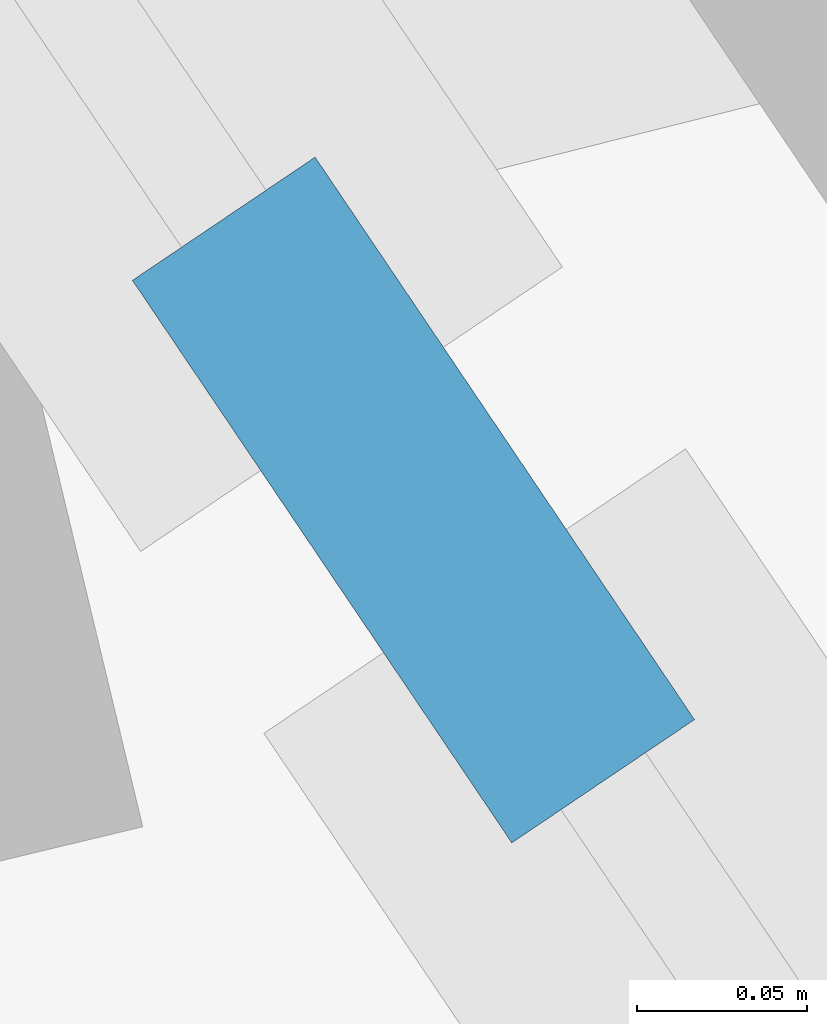
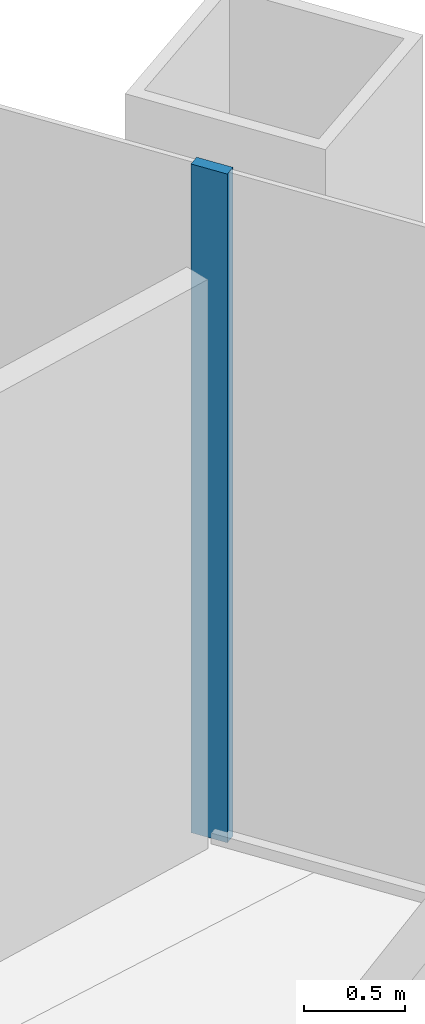
# One storey, part 5 of 13: 1 member, 1 element without a shape of its own.
"""IFC4 building model written with IfcOpenShell, lengths in metres."""

from ifc_helpers import new_model, si_unit, direction, frame, origin, origin_2d, place, context, subcontext, project, spatial, rectangle, extrude, material, material_profile, profile_set, type_object, element, aggregate, save


model = new_model("IFC4")

# Units and contexts
model_context = context("Model", 3, precision=1e-05, world=origin(), true_north=direction((0.0, 1.0)))
body_context = subcontext(model_context, "Body", "Model", "MODEL_VIEW")
ifc_project = project(units=[si_unit("LENGTHUNIT", "METRE"), si_unit("AREAUNIT", "SQUARE_METRE"), si_unit("VOLUMEUNIT", "CUBIC_METRE"), si_unit("PLANEANGLEUNIT", "RADIAN"), si_unit("MASSUNIT", "GRAM", prefix="KILO")], contexts=[model_context])

# Site, building, storey
site_placement = place(None, origin())
site = spatial("IfcSite", under=ifc_project, at=site_placement, CompositionType="ELEMENT")
building_placement = place(site_placement, origin())
building = spatial("IfcBuilding", under=site, at=building_placement, Name="Qingtian Harvest Tower", CompositionType="ELEMENT")
storey_placement = place(building_placement, frame((0.0, 0.0, 205.60009765625)))
storey = spatial("IfcBuildingStorey", under=building, at=storey_placement, Name="L44", CompositionType="ELEMENT", Elevation=205.60009765625)

# Curtain wall, member
ifc_material_1 = material(Name="Bronze-anodised aluminium curtain wall", Category="aluminium")
curtain_wall_type = type_object("IfcCurtainWallType", Name="Curtain wall CW4 office", PredefinedType="USERDEFINED", material=ifc_material_1)
curtain_wall_placement = place(storey_placement, origin())
curtain_wall = element("IfcCurtainWall", 1, at=curtain_wall_placement, inside=storey, type_object=curtain_wall_type, Name="Curtain wall CW4 L44 NE0-5", ObjectType="RECESSED CURTAIN WALL", PredefinedType="USERDEFINED")
ifc_material_2 = material(Name="Bronze-anodised aluminium mullion", Category="aluminium")
ifc_material_profile = material_profile(ifc_material_2, rectangle(XDim=0.06494140625, YDim=0.199951171875, at=origin_2d()), Name="AL 65x200")
ifc_profile_set = profile_set([ifc_material_profile], Name="Bronze-anodised aluminium mullion")
member_type = type_object("IfcMemberType", Name="Mullion CWM 65x200", PredefinedType="MULLION", material=ifc_profile_set)
member_placement = place(storey_placement, frame((23.150390625, 5.55712890625, 0.0), z_axis=(0.0, 0.0, 1.0), x_axis=(0.829037572555, 0.559192903471, 0.0)))
member = element("IfcMember", 2, at=member_placement, type_object=member_type, Name="CW4 mullion 6", PredefinedType="MULLION", context=body_context, shape_type="SweptSolid", body=[
    extrude(rectangle(XDim=0.06494140625, YDim=0.199951171875, at=origin_2d()), origin(), (0.0, 0.0, 1.0), 4.02978515625),
])
aggregate(curtain_wall, [member])

save(model, "model.ifc")
